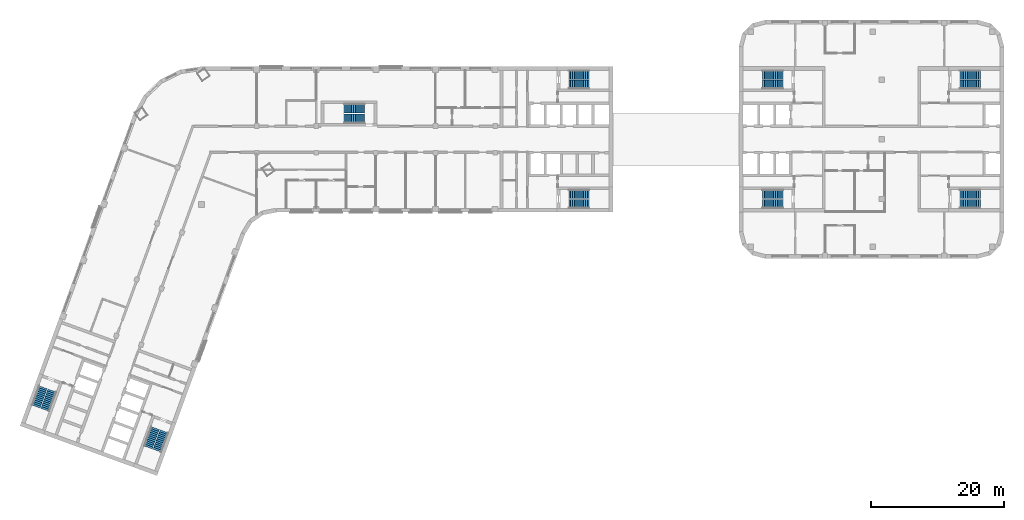
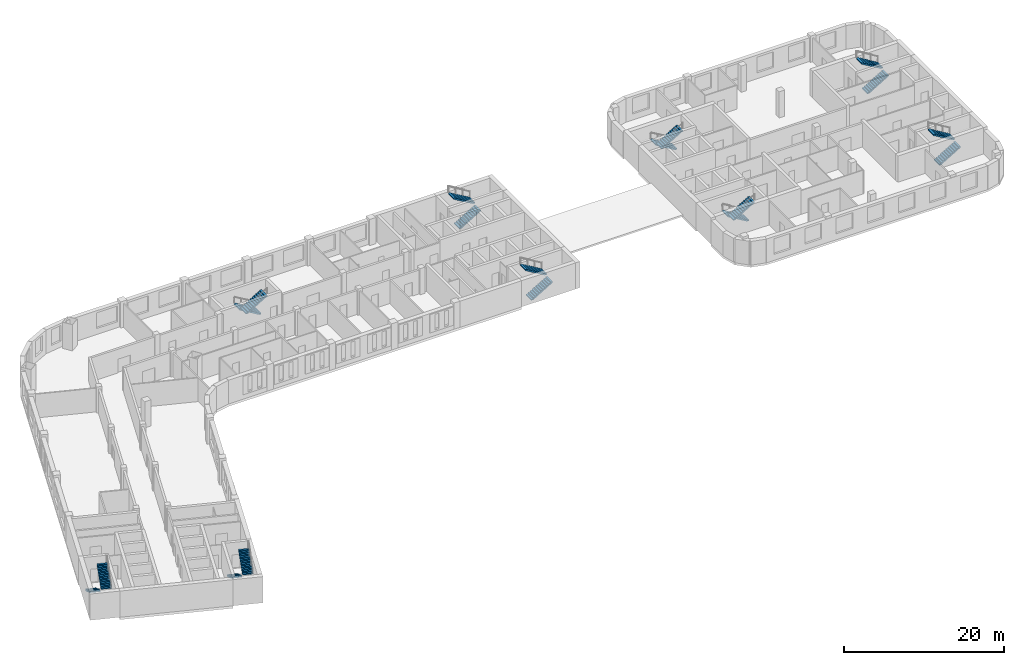
# One storey, part 10 of 12: 18 stair flights, 9 elements without a shape of their own.
"""IFC4 building model written with IfcOpenShell, lengths in metres."""

from ifc_helpers import new_model, si_unit, direction, frame, origin, place, context, subcontext, project, spatial, polyline, outline, extrude, material, type_object, element, aggregate, save


model = new_model("IFC4")

# Units and contexts
model_context = context("Model", 3, precision=1e-05, world=origin(), true_north=direction((0.0, 1.0)))
body_context = subcontext(model_context, "Body", "Model", "MODEL_VIEW")
ifc_project = project(units=[si_unit("LENGTHUNIT", "METRE"), si_unit("AREAUNIT", "SQUARE_METRE"), si_unit("VOLUMEUNIT", "CUBIC_METRE"), si_unit("PLANEANGLEUNIT", "RADIAN"), si_unit("MASSUNIT", "GRAM", prefix="KILO")], contexts=[model_context])

# Site, building, storey
site_placement = place(None, origin())
site = spatial("IfcSite", under=ifc_project, at=site_placement, CompositionType="ELEMENT")
building_placement = place(site_placement, origin())
building = spatial("IfcBuilding", under=site, at=building_placement, Name="Skarvind Civic Tower", CompositionType="ELEMENT")
storey_placement = place(building_placement, frame((0.0, 0.0, 35.5)))
storey = spatial("IfcBuildingStorey", under=building, at=storey_placement, Name="L07", CompositionType="ELEMENT", Elevation=35.5)

# Stair, stair flights
ifc_material = material(Name="Concrete C40/50", Category="concrete")
stair_type_1 = type_object("IfcStairType", Name="Exit stair 1450, half-turn, concrete", PredefinedType="HALF_TURN_STAIR", material=ifc_material)
stair_1_placement = place(storey_placement, origin())
stair_1 = element("IfcStair", 1, at=stair_1_placement, inside=storey, type_object=stair_type_1, Name="Exit stair CM", PredefinedType="HALF_TURN_STAIR")
stair_flight_type_1 = type_object("IfcStairFlightType", Name="Stair flight 1450, concrete", PredefinedType="STRAIGHT", material=ifc_material)
stair_flight_1_placement = place(storey_placement, frame((70.550048828125, 132.675048828125, 0.0), z_axis=(0.0, 0.0, 1.0), x_axis=(-1.0, 0.0, 0.0)))
stair_flight_1 = element("IfcStairFlight", 2, at=stair_flight_1_placement, type_object=stair_flight_type_1, Name="ST-CM flight 1", NumberOfRisers=12, NumberOfTreads=11, PredefinedType="STRAIGHT", RiserHeight=0.166666667, TreadLength=0.28, context=body_context, shape_type="SweptSolid", body=[
    extrude(outline(polyline([(0.0, 0.0), (0.0, 0.166748046875), (0.280029296875, 0.166748046875), (0.280029296875, 0.333251953125), (0.56005859375, 0.333251953125), (0.56005859375, 0.5), (0.840087890625, 0.5), (0.840087890625, 0.666748046875), (1.1201171875, 0.666748046875), (1.1201171875, 0.833251953125), (1.39990234375, 0.833251953125), (1.39990234375, 1.0), (1.679931640625, 1.0), (1.679931640625, 1.166748046875), (1.9599609375, 1.166748046875), (1.9599609375, 1.333251953125), (2.239990234375, 1.333251953125), (2.239990234375, 1.5), (2.52001953125, 1.5), (2.52001953125, 1.666748046875), (2.800048828125, 1.666748046875), (2.800048828125, 1.833251953125), (3.080078125, 1.833251953125), (3.080078125, 2.0), (3.080078125, 1.658935546875), (0.29296875, 0.0), (0.0, 0.0)])), frame((0.0, 0.72509765625, 0.0), z_axis=(0.0, -1.0, 0.0), x_axis=(1.0, 0.0, 0.0)), (0.0, 0.0, 1.0), 1.449951171875),
])
stair_flight_2_placement = place(storey_placement, frame((67.469970703125, 131.125, 2.0), z_axis=(0.0, 0.0, 1.0), x_axis=(1.0, 0.0, 0.0)))
stair_flight_2 = element("IfcStairFlight", 3, at=stair_flight_2_placement, type_object=stair_flight_type_1, Name="ST-CM flight 2", NumberOfRisers=12, NumberOfTreads=11, PredefinedType="STRAIGHT", RiserHeight=0.166666667, TreadLength=0.28, context=body_context, shape_type="SweptSolid", body=[
    extrude(outline(polyline([(0.0, 0.0), (0.0, 0.166748046875), (0.280029296875, 0.166748046875), (0.280029296875, 0.333251953125), (0.56005859375, 0.333251953125), (0.56005859375, 0.5), (0.840087890625, 0.5), (0.840087890625, 0.666748046875), (1.1201171875, 0.666748046875), (1.1201171875, 0.833251953125), (1.39990234375, 0.833251953125), (1.39990234375, 1.0), (1.679931640625, 1.0), (1.679931640625, 1.166748046875), (1.9599609375, 1.166748046875), (1.9599609375, 1.333251953125), (2.239990234375, 1.333251953125), (2.239990234375, 1.5), (2.52001953125, 1.5), (2.52001953125, 1.666748046875), (2.800048828125, 1.666748046875), (2.800048828125, 1.833251953125), (3.080078125, 1.833251953125), (3.080078125, 2.0), (3.080078125, 1.658935546875), (0.29296875, 0.0), (0.0, 0.0)])), frame((0.0, 0.72509765625, 0.0), z_axis=(0.0, -1.0, 0.0), x_axis=(1.0, 0.0, 0.0)), (0.0, 0.0, 1.0), 1.449951171875),
])
aggregate(stair_1, [stair_flight_1, stair_flight_2])

stair_type_2 = type_object("IfcStairType", Name="Exit stair, half-turn, concrete", PredefinedType="HALF_TURN_STAIR", material=ifc_material)
stair_2_placement = place(storey_placement, origin())
stair_2 = element("IfcStair", 4, at=stair_2_placement, inside=storey, type_object=stair_type_2, Name="Exit stair C1S", PredefinedType="HALF_TURN_STAIR")
stair_flight_type_2 = type_object("IfcStairFlightType", Name="Stair flight, concrete", PredefinedType="STRAIGHT", material=ifc_material)
stair_flight_3_placement = place(storey_placement, frame((101.35009765625, 136.27490234375, 0.0), z_axis=(0.0, 0.0, 1.0), x_axis=(1.0, 0.0, 0.0)))
stair_flight_3 = element("IfcStairFlight", 5, at=stair_flight_3_placement, type_object=stair_flight_type_2, Name="ST-C1S flight 1", NumberOfRisers=12, NumberOfTreads=11, PredefinedType="STRAIGHT", RiserHeight=0.166666667, TreadLength=0.28, context=body_context, shape_type="SweptSolid", body=[
    extrude(outline(polyline([(0.0, 0.0), (0.0, 0.166748046875), (0.280029296875, 0.166748046875), (0.280029296875, 0.333251953125), (0.56005859375, 0.333251953125), (0.56005859375, 0.5), (0.840087890625, 0.5), (0.840087890625, 0.666748046875), (1.1201171875, 0.666748046875), (1.1201171875, 0.833251953125), (1.39990234375, 0.833251953125), (1.39990234375, 1.0), (1.679931640625, 1.0), (1.679931640625, 1.166748046875), (1.9599609375, 1.166748046875), (1.9599609375, 1.333251953125), (2.239990234375, 1.333251953125), (2.239990234375, 1.5), (2.52001953125, 1.5), (2.52001953125, 1.666748046875), (2.800048828125, 1.666748046875), (2.800048828125, 1.833251953125), (3.080078125, 1.833251953125), (3.080078125, 2.0), (3.080078125, 1.658935546875), (0.29296875, 0.0), (0.0, 0.0)])), frame((0.0, 0.675048828125, 0.0), z_axis=(0.0, -1.0, 0.0), x_axis=(1.0, 0.0, 0.0)), (0.0, 0.0, 1.0), 1.35009765625),
])
stair_flight_4_placement = place(storey_placement, frame((104.429931640625, 137.72509765625, 2.0), z_axis=(0.0, 0.0, 1.0), x_axis=(-1.0, 0.0, 0.0)))
stair_flight_4 = element("IfcStairFlight", 6, at=stair_flight_4_placement, type_object=stair_flight_type_2, Name="ST-C1S flight 2", NumberOfRisers=12, NumberOfTreads=11, PredefinedType="STRAIGHT", RiserHeight=0.166666667, TreadLength=0.28, context=body_context, shape_type="SweptSolid", body=[
    extrude(outline(polyline([(0.0, 0.0), (0.0, 0.166748046875), (0.280029296875, 0.166748046875), (0.280029296875, 0.333251953125), (0.56005859375, 0.333251953125), (0.56005859375, 0.5), (0.840087890625, 0.5), (0.840087890625, 0.666748046875), (1.1201171875, 0.666748046875), (1.1201171875, 0.833251953125), (1.39990234375, 0.833251953125), (1.39990234375, 1.0), (1.679931640625, 1.0), (1.679931640625, 1.166748046875), (1.9599609375, 1.166748046875), (1.9599609375, 1.333251953125), (2.239990234375, 1.333251953125), (2.239990234375, 1.5), (2.52001953125, 1.5), (2.52001953125, 1.666748046875), (2.800048828125, 1.666748046875), (2.800048828125, 1.833251953125), (3.080078125, 1.833251953125), (3.080078125, 2.0), (3.080078125, 1.658935546875), (0.29296875, 0.0), (0.0, 0.0)])), frame((0.0, 0.675048828125, 0.0), z_axis=(0.0, -1.0, 0.0), x_axis=(1.0, 0.0, 0.0)), (0.0, 0.0, 1.0), 1.35009765625),
])
aggregate(stair_2, [stair_flight_3, stair_flight_4])

stair_3_placement = place(storey_placement, origin())
stair_3 = element("IfcStair", 7, at=stair_3_placement, inside=storey, type_object=stair_type_2, Name="Exit stair C1N", PredefinedType="HALF_TURN_STAIR")
stair_flight_5_placement = place(storey_placement, frame((101.35009765625, 118.27490234375, 0.0), z_axis=(0.0, 0.0, 1.0), x_axis=(1.0, 0.0, 0.0)))
stair_flight_5 = element("IfcStairFlight", 8, at=stair_flight_5_placement, type_object=stair_flight_type_2, Name="ST-C1N flight 1", NumberOfRisers=12, NumberOfTreads=11, PredefinedType="STRAIGHT", RiserHeight=0.166666667, TreadLength=0.28, context=body_context, shape_type="SweptSolid", body=[
    extrude(outline(polyline([(0.0, 0.0), (0.0, 0.166748046875), (0.280029296875, 0.166748046875), (0.280029296875, 0.333251953125), (0.56005859375, 0.333251953125), (0.56005859375, 0.5), (0.840087890625, 0.5), (0.840087890625, 0.666748046875), (1.1201171875, 0.666748046875), (1.1201171875, 0.833251953125), (1.39990234375, 0.833251953125), (1.39990234375, 1.0), (1.679931640625, 1.0), (1.679931640625, 1.166748046875), (1.9599609375, 1.166748046875), (1.9599609375, 1.333251953125), (2.239990234375, 1.333251953125), (2.239990234375, 1.5), (2.52001953125, 1.5), (2.52001953125, 1.666748046875), (2.800048828125, 1.666748046875), (2.800048828125, 1.833251953125), (3.080078125, 1.833251953125), (3.080078125, 2.0), (3.080078125, 1.658935546875), (0.29296875, 0.0), (0.0, 0.0)])), frame((0.0, 0.675048828125, 0.0), z_axis=(0.0, -1.0, 0.0), x_axis=(1.0, 0.0, 0.0)), (0.0, 0.0, 1.0), 1.35009765625),
])
stair_flight_6_placement = place(storey_placement, frame((104.429931640625, 119.72509765625, 2.0), z_axis=(0.0, 0.0, 1.0), x_axis=(-1.0, 0.0, 0.0)))
stair_flight_6 = element("IfcStairFlight", 9, at=stair_flight_6_placement, type_object=stair_flight_type_2, Name="ST-C1N flight 2", NumberOfRisers=12, NumberOfTreads=11, PredefinedType="STRAIGHT", RiserHeight=0.166666667, TreadLength=0.28, context=body_context, shape_type="SweptSolid", body=[
    extrude(outline(polyline([(0.0, 0.0), (0.0, 0.166748046875), (0.280029296875, 0.166748046875), (0.280029296875, 0.333251953125), (0.56005859375, 0.333251953125), (0.56005859375, 0.5), (0.840087890625, 0.5), (0.840087890625, 0.666748046875), (1.1201171875, 0.666748046875), (1.1201171875, 0.833251953125), (1.39990234375, 0.833251953125), (1.39990234375, 1.0), (1.679931640625, 1.0), (1.679931640625, 1.166748046875), (1.9599609375, 1.166748046875), (1.9599609375, 1.333251953125), (2.239990234375, 1.333251953125), (2.239990234375, 1.5), (2.52001953125, 1.5), (2.52001953125, 1.666748046875), (2.800048828125, 1.666748046875), (2.800048828125, 1.833251953125), (3.080078125, 1.833251953125), (3.080078125, 2.0), (3.080078125, 1.658935546875), (0.29296875, 0.0), (0.0, 0.0)])), frame((0.0, 0.675048828125, 0.0), z_axis=(0.0, -1.0, 0.0), x_axis=(1.0, 0.0, 0.0)), (0.0, 0.0, 1.0), 1.35009765625),
])
aggregate(stair_3, [stair_flight_5, stair_flight_6])

stair_4_placement = place(storey_placement, origin())
stair_4 = element("IfcStair", 10, at=stair_4_placement, inside=storey, type_object=stair_type_2, Name="Exit stair C2S", PredefinedType="HALF_TURN_STAIR")
stair_flight_7_placement = place(storey_placement, frame((38.949462890625, 84.43408203125, 0.0), z_axis=(0.0, 0.0, 1.0), x_axis=(-0.342020143326, -0.939692620786, 0.0)))
stair_flight_7 = element("IfcStairFlight", 11, at=stair_flight_7_placement, type_object=stair_flight_type_2, Name="ST-C2S flight 1", NumberOfRisers=12, NumberOfTreads=11, PredefinedType="STRAIGHT", RiserHeight=0.166666667, TreadLength=0.28, context=body_context, shape_type="SweptSolid", body=[
    extrude(outline(polyline([(0.0, 0.0), (0.0, 0.166748046875), (0.280029296875, 0.166748046875), (0.280029296875, 0.333251953125), (0.56005859375, 0.333251953125), (0.56005859375, 0.5), (0.840087890625, 0.5), (0.840087890625, 0.666748046875), (1.1201171875, 0.666748046875), (1.1201171875, 0.833251953125), (1.39990234375, 0.833251953125), (1.39990234375, 1.0), (1.679931640625, 1.0), (1.679931640625, 1.166748046875), (1.9599609375, 1.166748046875), (1.9599609375, 1.333251953125), (2.239990234375, 1.333251953125), (2.239990234375, 1.5), (2.52001953125, 1.5), (2.52001953125, 1.666748046875), (2.800048828125, 1.666748046875), (2.800048828125, 1.833251953125), (3.080078125, 1.833251953125), (3.080078125, 2.0), (3.080078125, 1.658935546875), (0.29296875, 0.0), (0.0, 0.0)])), frame((0.0, 0.675048828125, 0.0), z_axis=(0.0, -1.0, 0.0), x_axis=(1.0, 0.0, 0.0)), (0.0, 0.0, 1.0), 1.35009765625),
])
stair_flight_8_placement = place(storey_placement, frame((39.258544921875, 81.0439453125, 2.0), z_axis=(0.0, 0.0, 1.0), x_axis=(0.342020143326, 0.939692620786, 0.0)))
stair_flight_8 = element("IfcStairFlight", 12, at=stair_flight_8_placement, type_object=stair_flight_type_2, Name="ST-C2S flight 2", NumberOfRisers=12, NumberOfTreads=11, PredefinedType="STRAIGHT", RiserHeight=0.166666667, TreadLength=0.28, context=body_context, shape_type="SweptSolid", body=[
    extrude(outline(polyline([(0.0, 0.0), (0.0, 0.166748046875), (0.280029296875, 0.166748046875), (0.280029296875, 0.333251953125), (0.56005859375, 0.333251953125), (0.56005859375, 0.5), (0.840087890625, 0.5), (0.840087890625, 0.666748046875), (1.1201171875, 0.666748046875), (1.1201171875, 0.833251953125), (1.39990234375, 0.833251953125), (1.39990234375, 1.0), (1.679931640625, 1.0), (1.679931640625, 1.166748046875), (1.9599609375, 1.166748046875), (1.9599609375, 1.333251953125), (2.239990234375, 1.333251953125), (2.239990234375, 1.5), (2.52001953125, 1.5), (2.52001953125, 1.666748046875), (2.800048828125, 1.666748046875), (2.800048828125, 1.833251953125), (3.080078125, 1.833251953125), (3.080078125, 2.0), (3.080078125, 1.658935546875), (0.29296875, 0.0), (0.0, 0.0)])), frame((0.0, 0.675048828125, 0.0), z_axis=(0.0, -1.0, 0.0), x_axis=(1.0, 0.0, 0.0)), (0.0, 0.0, 1.0), 1.35009765625),
])
aggregate(stair_4, [stair_flight_7, stair_flight_8])

stair_5_placement = place(storey_placement, origin())
stair_5 = element("IfcStair", 13, at=stair_5_placement, inside=storey, type_object=stair_type_2, Name="Exit stair C2N", PredefinedType="HALF_TURN_STAIR")
stair_flight_9_placement = place(storey_placement, frame((22.034912109375, 90.590576171875, 0.0), z_axis=(0.0, 0.0, 1.0), x_axis=(-0.342020143326, -0.939692620786, 0.0)))
stair_flight_9 = element("IfcStairFlight", 14, at=stair_flight_9_placement, type_object=stair_flight_type_2, Name="ST-C2N flight 1", NumberOfRisers=12, NumberOfTreads=11, PredefinedType="STRAIGHT", RiserHeight=0.166666667, TreadLength=0.28, context=body_context, shape_type="SweptSolid", body=[
    extrude(outline(polyline([(0.0, 0.0), (0.0, 0.166748046875), (0.280029296875, 0.166748046875), (0.280029296875, 0.333251953125), (0.56005859375, 0.333251953125), (0.56005859375, 0.5), (0.840087890625, 0.5), (0.840087890625, 0.666748046875), (1.1201171875, 0.666748046875), (1.1201171875, 0.833251953125), (1.39990234375, 0.833251953125), (1.39990234375, 1.0), (1.679931640625, 1.0), (1.679931640625, 1.166748046875), (1.9599609375, 1.166748046875), (1.9599609375, 1.333251953125), (2.239990234375, 1.333251953125), (2.239990234375, 1.5), (2.52001953125, 1.5), (2.52001953125, 1.666748046875), (2.800048828125, 1.666748046875), (2.800048828125, 1.833251953125), (3.080078125, 1.833251953125), (3.080078125, 2.0), (3.080078125, 1.658935546875), (0.29296875, 0.0), (0.0, 0.0)])), frame((0.0, 0.675048828125, 0.0), z_axis=(0.0, -1.0, 0.0), x_axis=(1.0, 0.0, 0.0)), (0.0, 0.0, 1.0), 1.35009765625),
])
stair_flight_10_placement = place(storey_placement, frame((22.343994140625, 87.2001953125, 2.0), z_axis=(0.0, 0.0, 1.0), x_axis=(0.342020143326, 0.939692620786, 0.0)))
stair_flight_10 = element("IfcStairFlight", 15, at=stair_flight_10_placement, type_object=stair_flight_type_2, Name="ST-C2N flight 2", NumberOfRisers=12, NumberOfTreads=11, PredefinedType="STRAIGHT", RiserHeight=0.166666667, TreadLength=0.28, context=body_context, shape_type="SweptSolid", body=[
    extrude(outline(polyline([(0.0, 0.0), (0.0, 0.166748046875), (0.280029296875, 0.166748046875), (0.280029296875, 0.333251953125), (0.56005859375, 0.333251953125), (0.56005859375, 0.5), (0.840087890625, 0.5), (0.840087890625, 0.666748046875), (1.1201171875, 0.666748046875), (1.1201171875, 0.833251953125), (1.39990234375, 0.833251953125), (1.39990234375, 1.0), (1.679931640625, 1.0), (1.679931640625, 1.166748046875), (1.9599609375, 1.166748046875), (1.9599609375, 1.333251953125), (2.239990234375, 1.333251953125), (2.239990234375, 1.5), (2.52001953125, 1.5), (2.52001953125, 1.666748046875), (2.800048828125, 1.666748046875), (2.800048828125, 1.833251953125), (3.080078125, 1.833251953125), (3.080078125, 2.0), (3.080078125, 1.658935546875), (0.29296875, 0.0), (0.0, 0.0)])), frame((0.0, 0.675048828125, 0.0), z_axis=(0.0, -1.0, 0.0), x_axis=(1.0, 0.0, 0.0)), (0.0, 0.0, 1.0), 1.35009765625),
])
aggregate(stair_5, [stair_flight_9, stair_flight_10])

stair_6_placement = place(storey_placement, origin())
stair_6 = element("IfcStair", 16, at=stair_6_placement, inside=storey, type_object=stair_type_2, Name="Exit stair CAS", PredefinedType="HALF_TURN_STAIR")
stair_flight_11_placement = place(storey_placement, frame((133.64990234375, 119.72509765625, 0.0), z_axis=(0.0, 0.0, 1.0), x_axis=(-1.0, 0.0, 0.0)))
stair_flight_11 = element("IfcStairFlight", 17, at=stair_flight_11_placement, type_object=stair_flight_type_2, Name="ST-CAS flight 1", NumberOfRisers=12, NumberOfTreads=11, PredefinedType="STRAIGHT", RiserHeight=0.166666667, TreadLength=0.28, context=body_context, shape_type="SweptSolid", body=[
    extrude(outline(polyline([(0.0, 0.0), (0.0, 0.166748046875), (0.280029296875, 0.166748046875), (0.280029296875, 0.333251953125), (0.56005859375, 0.333251953125), (0.56005859375, 0.5), (0.840087890625, 0.5), (0.840087890625, 0.666748046875), (1.1201171875, 0.666748046875), (1.1201171875, 0.833251953125), (1.39990234375, 0.833251953125), (1.39990234375, 1.0), (1.679931640625, 1.0), (1.679931640625, 1.166748046875), (1.9599609375, 1.166748046875), (1.9599609375, 1.333251953125), (2.239990234375, 1.333251953125), (2.239990234375, 1.5), (2.52001953125, 1.5), (2.52001953125, 1.666748046875), (2.800048828125, 1.666748046875), (2.800048828125, 1.833251953125), (3.080078125, 1.833251953125), (3.080078125, 2.0), (3.080078125, 1.658935546875), (0.29296875, 0.0), (0.0, 0.0)])), frame((0.0, 0.675048828125, 0.0), z_axis=(0.0, -1.0, 0.0), x_axis=(1.0, 0.0, 0.0)), (0.0, 0.0, 1.0), 1.35009765625),
])
stair_flight_12_placement = place(storey_placement, frame((130.570068359375, 118.27490234375, 2.0), z_axis=(0.0, 0.0, 1.0), x_axis=(1.0, 0.0, 0.0)))
stair_flight_12 = element("IfcStairFlight", 18, at=stair_flight_12_placement, type_object=stair_flight_type_2, Name="ST-CAS flight 2", NumberOfRisers=12, NumberOfTreads=11, PredefinedType="STRAIGHT", RiserHeight=0.166666667, TreadLength=0.28, context=body_context, shape_type="SweptSolid", body=[
    extrude(outline(polyline([(0.0, 0.0), (0.0, 0.166748046875), (0.280029296875, 0.166748046875), (0.280029296875, 0.333251953125), (0.56005859375, 0.333251953125), (0.56005859375, 0.5), (0.840087890625, 0.5), (0.840087890625, 0.666748046875), (1.1201171875, 0.666748046875), (1.1201171875, 0.833251953125), (1.39990234375, 0.833251953125), (1.39990234375, 1.0), (1.679931640625, 1.0), (1.679931640625, 1.166748046875), (1.9599609375, 1.166748046875), (1.9599609375, 1.333251953125), (2.239990234375, 1.333251953125), (2.239990234375, 1.5), (2.52001953125, 1.5), (2.52001953125, 1.666748046875), (2.800048828125, 1.666748046875), (2.800048828125, 1.833251953125), (3.080078125, 1.833251953125), (3.080078125, 2.0), (3.080078125, 1.658935546875), (0.29296875, 0.0), (0.0, 0.0)])), frame((0.0, 0.675048828125, 0.0), z_axis=(0.0, -1.0, 0.0), x_axis=(1.0, 0.0, 0.0)), (0.0, 0.0, 1.0), 1.35009765625),
])
aggregate(stair_6, [stair_flight_11, stair_flight_12])

stair_7_placement = place(storey_placement, origin())
stair_7 = element("IfcStair", 19, at=stair_7_placement, inside=storey, type_object=stair_type_2, Name="Exit stair CAN", PredefinedType="HALF_TURN_STAIR")
stair_flight_13_placement = place(storey_placement, frame((133.64990234375, 137.72509765625, 0.0), z_axis=(0.0, 0.0, 1.0), x_axis=(-1.0, 0.0, 0.0)))
stair_flight_13 = element("IfcStairFlight", 20, at=stair_flight_13_placement, type_object=stair_flight_type_2, Name="ST-CAN flight 1", NumberOfRisers=12, NumberOfTreads=11, PredefinedType="STRAIGHT", RiserHeight=0.166666667, TreadLength=0.28, context=body_context, shape_type="SweptSolid", body=[
    extrude(outline(polyline([(0.0, 0.0), (0.0, 0.166748046875), (0.280029296875, 0.166748046875), (0.280029296875, 0.333251953125), (0.56005859375, 0.333251953125), (0.56005859375, 0.5), (0.840087890625, 0.5), (0.840087890625, 0.666748046875), (1.1201171875, 0.666748046875), (1.1201171875, 0.833251953125), (1.39990234375, 0.833251953125), (1.39990234375, 1.0), (1.679931640625, 1.0), (1.679931640625, 1.166748046875), (1.9599609375, 1.166748046875), (1.9599609375, 1.333251953125), (2.239990234375, 1.333251953125), (2.239990234375, 1.5), (2.52001953125, 1.5), (2.52001953125, 1.666748046875), (2.800048828125, 1.666748046875), (2.800048828125, 1.833251953125), (3.080078125, 1.833251953125), (3.080078125, 2.0), (3.080078125, 1.658935546875), (0.29296875, 0.0), (0.0, 0.0)])), frame((0.0, 0.675048828125, 0.0), z_axis=(0.0, -1.0, 0.0), x_axis=(1.0, 0.0, 0.0)), (0.0, 0.0, 1.0), 1.35009765625),
])
stair_flight_14_placement = place(storey_placement, frame((130.570068359375, 136.27490234375, 2.0), z_axis=(0.0, 0.0, 1.0), x_axis=(1.0, 0.0, 0.0)))
stair_flight_14 = element("IfcStairFlight", 21, at=stair_flight_14_placement, type_object=stair_flight_type_2, Name="ST-CAN flight 2", NumberOfRisers=12, NumberOfTreads=11, PredefinedType="STRAIGHT", RiserHeight=0.166666667, TreadLength=0.28, context=body_context, shape_type="SweptSolid", body=[
    extrude(outline(polyline([(0.0, 0.0), (0.0, 0.166748046875), (0.280029296875, 0.166748046875), (0.280029296875, 0.333251953125), (0.56005859375, 0.333251953125), (0.56005859375, 0.5), (0.840087890625, 0.5), (0.840087890625, 0.666748046875), (1.1201171875, 0.666748046875), (1.1201171875, 0.833251953125), (1.39990234375, 0.833251953125), (1.39990234375, 1.0), (1.679931640625, 1.0), (1.679931640625, 1.166748046875), (1.9599609375, 1.166748046875), (1.9599609375, 1.333251953125), (2.239990234375, 1.333251953125), (2.239990234375, 1.5), (2.52001953125, 1.5), (2.52001953125, 1.666748046875), (2.800048828125, 1.666748046875), (2.800048828125, 1.833251953125), (3.080078125, 1.833251953125), (3.080078125, 2.0), (3.080078125, 1.658935546875), (0.29296875, 0.0), (0.0, 0.0)])), frame((0.0, 0.675048828125, 0.0), z_axis=(0.0, -1.0, 0.0), x_axis=(1.0, 0.0, 0.0)), (0.0, 0.0, 1.0), 1.35009765625),
])
aggregate(stair_7, [stair_flight_13, stair_flight_14])

stair_8_placement = place(storey_placement, origin())
stair_8 = element("IfcStair", 22, at=stair_8_placement, inside=storey, type_object=stair_type_2, Name="Exit stair CBS", PredefinedType="HALF_TURN_STAIR")
stair_flight_15_placement = place(storey_placement, frame((160.35009765625, 136.27490234375, 0.0), z_axis=(0.0, 0.0, 1.0), x_axis=(1.0, 0.0, 0.0)))
stair_flight_15 = element("IfcStairFlight", 23, at=stair_flight_15_placement, type_object=stair_flight_type_2, Name="ST-CBS flight 1", NumberOfRisers=12, NumberOfTreads=11, PredefinedType="STRAIGHT", RiserHeight=0.166666667, TreadLength=0.28, context=body_context, shape_type="SweptSolid", body=[
    extrude(outline(polyline([(0.0, 0.0), (0.0, 0.166748046875), (0.280029296875, 0.166748046875), (0.280029296875, 0.333251953125), (0.56005859375, 0.333251953125), (0.56005859375, 0.5), (0.840087890625, 0.5), (0.840087890625, 0.666748046875), (1.1201171875, 0.666748046875), (1.1201171875, 0.833251953125), (1.39990234375, 0.833251953125), (1.39990234375, 1.0), (1.679931640625, 1.0), (1.679931640625, 1.166748046875), (1.9599609375, 1.166748046875), (1.9599609375, 1.333251953125), (2.239990234375, 1.333251953125), (2.239990234375, 1.5), (2.52001953125, 1.5), (2.52001953125, 1.666748046875), (2.800048828125, 1.666748046875), (2.800048828125, 1.833251953125), (3.080078125, 1.833251953125), (3.080078125, 2.0), (3.080078125, 1.658935546875), (0.29296875, 0.0), (0.0, 0.0)])), frame((0.0, 0.675048828125, 0.0), z_axis=(0.0, -1.0, 0.0), x_axis=(1.0, 0.0, 0.0)), (0.0, 0.0, 1.0), 1.35009765625),
])
stair_flight_16_placement = place(storey_placement, frame((163.429931640625, 137.72509765625, 2.0), z_axis=(0.0, 0.0, 1.0), x_axis=(-1.0, 0.0, 0.0)))
stair_flight_16 = element("IfcStairFlight", 24, at=stair_flight_16_placement, type_object=stair_flight_type_2, Name="ST-CBS flight 2", NumberOfRisers=12, NumberOfTreads=11, PredefinedType="STRAIGHT", RiserHeight=0.166666667, TreadLength=0.28, context=body_context, shape_type="SweptSolid", body=[
    extrude(outline(polyline([(0.0, 0.0), (0.0, 0.166748046875), (0.280029296875, 0.166748046875), (0.280029296875, 0.333251953125), (0.56005859375, 0.333251953125), (0.56005859375, 0.5), (0.840087890625, 0.5), (0.840087890625, 0.666748046875), (1.1201171875, 0.666748046875), (1.1201171875, 0.833251953125), (1.39990234375, 0.833251953125), (1.39990234375, 1.0), (1.679931640625, 1.0), (1.679931640625, 1.166748046875), (1.9599609375, 1.166748046875), (1.9599609375, 1.333251953125), (2.239990234375, 1.333251953125), (2.239990234375, 1.5), (2.52001953125, 1.5), (2.52001953125, 1.666748046875), (2.800048828125, 1.666748046875), (2.800048828125, 1.833251953125), (3.080078125, 1.833251953125), (3.080078125, 2.0), (3.080078125, 1.658935546875), (0.29296875, 0.0), (0.0, 0.0)])), frame((0.0, 0.675048828125, 0.0), z_axis=(0.0, -1.0, 0.0), x_axis=(1.0, 0.0, 0.0)), (0.0, 0.0, 1.0), 1.35009765625),
])
aggregate(stair_8, [stair_flight_15, stair_flight_16])

stair_9_placement = place(storey_placement, origin())
stair_9 = element("IfcStair", 25, at=stair_9_placement, inside=storey, type_object=stair_type_2, Name="Exit stair CBN", PredefinedType="HALF_TURN_STAIR")
stair_flight_17_placement = place(storey_placement, frame((160.35009765625, 118.27490234375, 0.0), z_axis=(0.0, 0.0, 1.0), x_axis=(1.0, 0.0, 0.0)))
stair_flight_17 = element("IfcStairFlight", 26, at=stair_flight_17_placement, type_object=stair_flight_type_2, Name="ST-CBN flight 1", NumberOfRisers=12, NumberOfTreads=11, PredefinedType="STRAIGHT", RiserHeight=0.166666667, TreadLength=0.28, context=body_context, shape_type="SweptSolid", body=[
    extrude(outline(polyline([(0.0, 0.0), (0.0, 0.166748046875), (0.280029296875, 0.166748046875), (0.280029296875, 0.333251953125), (0.56005859375, 0.333251953125), (0.56005859375, 0.5), (0.840087890625, 0.5), (0.840087890625, 0.666748046875), (1.1201171875, 0.666748046875), (1.1201171875, 0.833251953125), (1.39990234375, 0.833251953125), (1.39990234375, 1.0), (1.679931640625, 1.0), (1.679931640625, 1.166748046875), (1.9599609375, 1.166748046875), (1.9599609375, 1.333251953125), (2.239990234375, 1.333251953125), (2.239990234375, 1.5), (2.52001953125, 1.5), (2.52001953125, 1.666748046875), (2.800048828125, 1.666748046875), (2.800048828125, 1.833251953125), (3.080078125, 1.833251953125), (3.080078125, 2.0), (3.080078125, 1.658935546875), (0.29296875, 0.0), (0.0, 0.0)])), frame((0.0, 0.675048828125, 0.0), z_axis=(0.0, -1.0, 0.0), x_axis=(1.0, 0.0, 0.0)), (0.0, 0.0, 1.0), 1.35009765625),
])
stair_flight_18_placement = place(storey_placement, frame((163.429931640625, 119.72509765625, 2.0), z_axis=(0.0, 0.0, 1.0), x_axis=(-1.0, 0.0, 0.0)))
stair_flight_18 = element("IfcStairFlight", 27, at=stair_flight_18_placement, type_object=stair_flight_type_2, Name="ST-CBN flight 2", NumberOfRisers=12, NumberOfTreads=11, PredefinedType="STRAIGHT", RiserHeight=0.166666667, TreadLength=0.28, context=body_context, shape_type="SweptSolid", body=[
    extrude(outline(polyline([(0.0, 0.0), (0.0, 0.166748046875), (0.280029296875, 0.166748046875), (0.280029296875, 0.333251953125), (0.56005859375, 0.333251953125), (0.56005859375, 0.5), (0.840087890625, 0.5), (0.840087890625, 0.666748046875), (1.1201171875, 0.666748046875), (1.1201171875, 0.833251953125), (1.39990234375, 0.833251953125), (1.39990234375, 1.0), (1.679931640625, 1.0), (1.679931640625, 1.166748046875), (1.9599609375, 1.166748046875), (1.9599609375, 1.333251953125), (2.239990234375, 1.333251953125), (2.239990234375, 1.5), (2.52001953125, 1.5), (2.52001953125, 1.666748046875), (2.800048828125, 1.666748046875), (2.800048828125, 1.833251953125), (3.080078125, 1.833251953125), (3.080078125, 2.0), (3.080078125, 1.658935546875), (0.29296875, 0.0), (0.0, 0.0)])), frame((0.0, 0.675048828125, 0.0), z_axis=(0.0, -1.0, 0.0), x_axis=(1.0, 0.0, 0.0)), (0.0, 0.0, 1.0), 1.35009765625),
])
aggregate(stair_9, [stair_flight_17, stair_flight_18])

save(model, "model.ifc")
